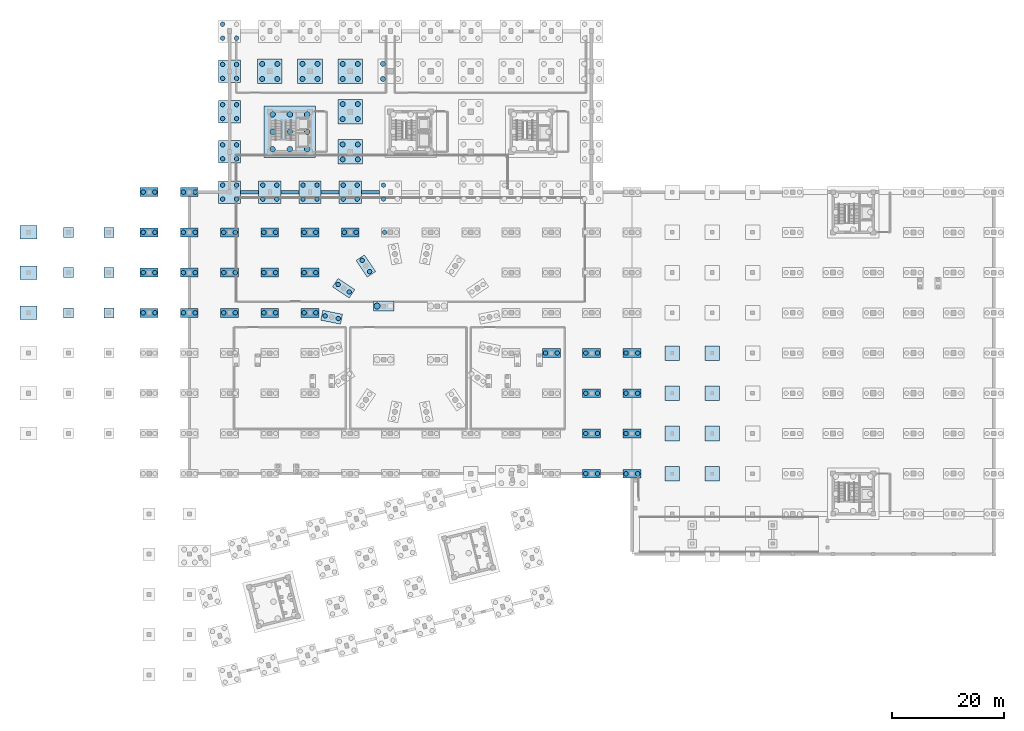
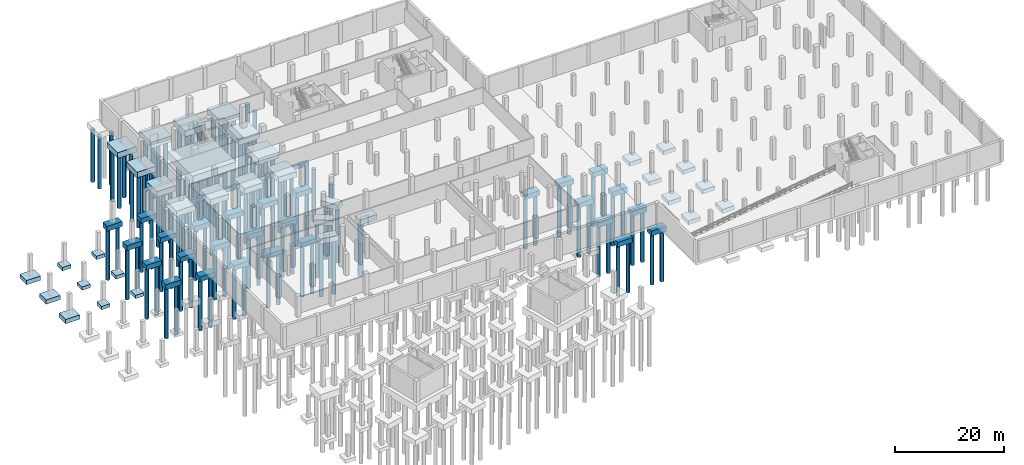
# One storey, part 3 of 19: 126 piles, 65 footings.
"""IFC4 building model written with IfcOpenShell, lengths in metres."""

from ifc_helpers import new_model, si_unit, direction, frame, origin, origin_2d, place, context, subcontext, project, spatial, rectangle, circle, extrude, material, material_profile, profile_set, type_object, element, save


model = new_model("IFC4")

# Units and contexts
model_context = context("Model", 3, precision=1e-05, world=origin(), true_north=direction((0.0, 1.0)))
body_context = subcontext(model_context, "Body", "Model", "MODEL_VIEW")
ifc_project = project(units=[si_unit("LENGTHUNIT", "METRE"), si_unit("AREAUNIT", "SQUARE_METRE"), si_unit("VOLUMEUNIT", "CUBIC_METRE"), si_unit("PLANEANGLEUNIT", "RADIAN"), si_unit("MASSUNIT", "GRAM", prefix="KILO")], contexts=[model_context])

# Site, building, storey
site_placement = place(None, origin())
site = spatial("IfcSite", under=ifc_project, at=site_placement, CompositionType="ELEMENT")
building_placement = place(site_placement, origin())
building = spatial("IfcBuilding", under=site, at=building_placement, Name="Qiaolan Assembly House", CompositionType="ELEMENT")
storey_placement = place(building_placement, frame((0.0, 0.0, -4.800048828125)))
storey = spatial("IfcBuildingStorey", under=building, at=storey_placement, Name="B1", CompositionType="ELEMENT", Elevation=-4.800048828125)

# Footings
ifc_material_1 = material(Name="Concrete C40/50", Category="concrete")
footing_type_1 = type_object("IfcFootingType", Name="FTG-CORE-RAFT-9200x9200", PredefinedType="PILE_CAP", material=ifc_material_1)
footing_1_placement = place(storey_placement, frame((46.800048828125, 97.199951171875, -2.35009765625), z_axis=(0.0, 0.0, 1.0), x_axis=(1.0, 0.0, 0.0)))
element("IfcFooting", 1, at=footing_1_placement, inside=storey, type_object=footing_type_1, Name="PC-01 pile cap CORE-A", PredefinedType="PILE_CAP", context=body_context, shape_type="SweptSolid", body=[
    extrude(rectangle(XDim=9.199951171875, YDim=9.199951171875, at=origin_2d()), origin(), (0.0, 0.0, 1.0), 1.60009765625),
])
ifc_material_profile_1 = material_profile(ifc_material_1, rectangle(XDim=0.60009765625, YDim=0.89990234375, at=origin_2d()), Name="GF 600x900")
ifc_profile_set_1 = profile_set([ifc_material_profile_1], Name="Concrete C40/50")
footing_type_2 = type_object("IfcFootingType", Name="FTG-GB-600x900", PredefinedType="FOOTING_BEAM", material=ifc_profile_set_1)
for number, where, z_axis, x_axis, name in (
    (2, (38.0029296875, 86.39990234375, -1.199951171875), (1.0, 0.0, 0.0), (0.0, 1.0, 0.0), "GF-01 ground tie beam NW-86-0"),
    (3, (45.202880859375, 86.39990234375, -1.199951171875), (1.0, 0.0, 0.0), (0.0, 1.0, 0.0), "GF-01 ground tie beam NW-86-1"),
):
    element("IfcFooting", number, at=place(storey_placement, frame(where, z_axis=z_axis, x_axis=x_axis)), inside=storey, type_object=footing_type_2, Name=name, PredefinedType="FOOTING_BEAM", context=body_context, shape_type="SweptSolid", body=[
        extrude(rectangle(XDim=0.60009765625, YDim=0.89990234375, at=origin_2d()), origin(), (0.0, 0.0, 1.0), 3.194091796875),
    ])
footing_2_placement = place(storey_placement, frame((52.403076171875, 86.39990234375, -1.199951171875), z_axis=(1.0, 0.0, 0.0), x_axis=(0.0, 1.0, 0.0)))
element("IfcFooting", 4, at=footing_2_placement, inside=storey, type_object=footing_type_2, Name="GF-01 ground tie beam NW-86-2", PredefinedType="FOOTING_BEAM", context=body_context, shape_type="SweptSolid", body=[
    extrude(rectangle(XDim=0.60009765625, YDim=0.89990234375, at=origin_2d()), origin(), (0.0, 0.0, 1.0), 3.19384765625),
])
footing_3_placement = place(storey_placement, frame((59.60302734375, 86.39990234375, -1.199951171875), z_axis=(1.0, 0.0, 0.0), x_axis=(0.0, 1.0, 0.0)))
element("IfcFooting", 5, at=footing_3_placement, inside=storey, type_object=footing_type_2, Name="GF-01 ground tie beam NW-86-3", PredefinedType="FOOTING_BEAM", context=body_context, shape_type="SweptSolid", body=[
    extrude(rectangle(XDim=0.60009765625, YDim=0.89990234375, at=origin_2d()), origin(), (0.0, 0.0, 1.0), 3.194091796875),
])
footing_type_3 = type_object("IfcFootingType", Name="FTG-PAD-1800x1800", PredefinedType="PAD_FOOTING", material=ifc_material_1)
for number, where, z_axis, x_axis, name in (
    (6, (7.199951171875, 64.800048828125, -0.75), (0.0, 0.0, 1.0), (1.0, 0.0, 0.0), "PF-04 portico pad footing 1-3"),
    (7, (7.199951171875, 72.0, -0.75), (0.0, 0.0, 1.0), (1.0, 0.0, 0.0), "PF-04 portico pad footing 1-4"),
    (8, (7.199951171875, 79.199951171875, -0.75), (0.0, 0.0, 1.0), (1.0, 0.0, 0.0), "PF-04 portico pad footing 1-5"),
    (9, (14.39990234375, 64.800048828125, -0.75), (0.0, 0.0, 1.0), (1.0, 0.0, 0.0), "PF-04 portico pad footing 2-3"),
    (10, (14.39990234375, 72.0, -0.75), (0.0, 0.0, 1.0), (1.0, 0.0, 0.0), "PF-04 portico pad footing 2-4"),
    (11, (14.39990234375, 79.199951171875, -0.75), (0.0, 0.0, 1.0), (1.0, 0.0, 0.0), "PF-04 portico pad footing 2-5"),
):
    element("IfcFooting", number, at=place(storey_placement, frame(where, z_axis=z_axis, x_axis=x_axis)), inside=storey, type_object=footing_type_3, Name=name, PredefinedType="PAD_FOOTING", context=body_context, shape_type="SweptSolid", body=[
        extrude(rectangle(XDim=1.800048828125, YDim=1.800048828125, at=origin_2d()), origin(), (0.0, 0.0, 1.0), 0.75),
    ])
footing_type_4 = type_object("IfcFootingType", Name="FTG-PAD-2600x2600", PredefinedType="PAD_FOOTING", material=ifc_material_1)
for number, where, z_axis, x_axis, name in (
    (12, (115.199951171875, 36.0, -1.64990234375), (0.0, 0.0, 1.0), (1.0, 0.0, 0.0), "PF-02 cloister/carpark pad footing 0-2"),
    (13, (115.199951171875, 43.199951171875, -1.64990234375), (0.0, 0.0, 1.0), (1.0, 0.0, 0.0), "PF-02 cloister/carpark pad footing 0-3"),
    (14, (115.199951171875, 50.39990234375, -1.64990234375), (0.0, 0.0, 1.0), (1.0, 0.0, 0.0), "PF-02 cloister/carpark pad footing 0-4"),
    (15, (115.199951171875, 57.60009765625, -1.64990234375), (0.0, 0.0, 1.0), (1.0, 0.0, 0.0), "PF-02 cloister/carpark pad footing 0-5"),
    (16, (122.39990234375, 36.0, -1.64990234375), (0.0, 0.0, 1.0), (1.0, 0.0, 0.0), "PF-02 cloister/carpark pad footing 1-2"),
    (17, (122.39990234375, 43.199951171875, -1.64990234375), (0.0, 0.0, 1.0), (1.0, 0.0, 0.0), "PF-02 cloister/carpark pad footing 1-3"),
    (18, (122.39990234375, 50.39990234375, -1.64990234375), (0.0, 0.0, 1.0), (1.0, 0.0, 0.0), "PF-02 cloister/carpark pad footing 1-4"),
    (19, (122.39990234375, 57.60009765625, -1.64990234375), (0.0, 0.0, 1.0), (1.0, 0.0, 0.0), "PF-02 cloister/carpark pad footing 1-5"),
):
    element("IfcFooting", number, at=place(storey_placement, frame(where, z_axis=z_axis, x_axis=x_axis)), inside=storey, type_object=footing_type_4, Name=name, PredefinedType="PAD_FOOTING", context=body_context, shape_type="SweptSolid", body=[
        extrude(rectangle(XDim=2.60009765625, YDim=2.60009765625, at=origin_2d()), origin(), (0.0, 0.0, 1.0), 0.89990234375),
    ])
footing_type_5 = type_object("IfcFootingType", Name="FTG-PAD-3000x2400", PredefinedType="PAD_FOOTING", material=ifc_material_1)
for number, where, z_axis, x_axis, name in (
    (20, (0.0, 64.800048828125, -0.94970703125), (0.0, 0.0, 1.0), (1.0, 0.0, 0.0), "PF-01 portico pad footing 0-3"),
    (21, (0.0, 72.0, -0.94970703125), (0.0, 0.0, 1.0), (1.0, 0.0, 0.0), "PF-01 portico pad footing 0-4"),
    (22, (0.0, 79.199951171875, -0.94970703125), (0.0, 0.0, 1.0), (1.0, 0.0, 0.0), "PF-01 portico pad footing 0-5"),
):
    element("IfcFooting", number, at=place(storey_placement, frame(where, z_axis=z_axis, x_axis=x_axis)), inside=storey, type_object=footing_type_5, Name=name, PredefinedType="PAD_FOOTING", context=body_context, shape_type="SweptSolid", body=[
        extrude(rectangle(XDim=3.0, YDim=2.39990234375, at=origin_2d()), origin(), (0.0, 0.0, 1.0), 0.949951171875),
    ])
footing_type_6 = type_object("IfcFootingType", Name="FTG-PC-2P-3200x1600", PredefinedType="PILE_CAP", material=ifc_material_1)
for number, where, z_axis, x_axis, name in (
    (23, (21.60009765625, 64.800048828125, -1.10009765625), (0.0, 0.0, 1.0), (1.0, 0.0, 0.0), "PC-07 pile cap HL-00-04"),
    (24, (21.60009765625, 72.0, -1.10009765625), (0.0, 0.0, 1.0), (1.0, 0.0, 0.0), "PC-07 pile cap HL-00-05"),
    (25, (21.60009765625, 79.199951171875, -1.10009765625), (0.0, 0.0, 1.0), (1.0, 0.0, 0.0), "PC-07 pile cap HL-00-06"),
    (26, (21.60009765625, 86.39990234375, -1.10009765625), (0.0, 0.0, 1.0), (1.0, 0.0, 0.0), "PC-07 pile cap HL-00-07"),
    (27, (28.800048828125, 64.800048828125, -1.85009765625), (0.0, 0.0, 1.0), (1.0, 0.0, 0.0), "PC-07 pile cap HL-01-04"),
    (28, (28.800048828125, 72.0, -1.85009765625), (0.0, 0.0, 1.0), (1.0, 0.0, 0.0), "PC-07 pile cap HL-01-05"),
    (29, (28.800048828125, 79.199951171875, -1.85009765625), (0.0, 0.0, 1.0), (1.0, 0.0, 0.0), "PC-07 pile cap HL-01-06"),
    (30, (28.800048828125, 86.39990234375, -1.85009765625), (0.0, 0.0, 1.0), (1.0, 0.0, 0.0), "PC-07 pile cap HL-01-07"),
    (31, (36.0, 64.800048828125, -1.85009765625), (0.0, 0.0, 1.0), (1.0, 0.0, 0.0), "PC-07 pile cap HL-02-04"),
    (32, (36.0, 72.0, -1.85009765625), (0.0, 0.0, 1.0), (1.0, 0.0, 0.0), "PC-07 pile cap HL-02-05"),
    (33, (36.0, 79.199951171875, -1.85009765625), (0.0, 0.0, 1.0), (1.0, 0.0, 0.0), "PC-07 pile cap HL-02-06"),
    (34, (43.199951171875, 64.800048828125, -1.85009765625), (0.0, 0.0, 1.0), (1.0, 0.0, 0.0), "PC-07 pile cap HL-03-04"),
    (35, (43.199951171875, 72.0, -1.85009765625), (0.0, 0.0, 1.0), (1.0, 0.0, 0.0), "PC-07 pile cap HL-03-05"),
    (36, (43.199951171875, 79.199951171875, -1.85009765625), (0.0, 0.0, 1.0), (1.0, 0.0, 0.0), "PC-07 pile cap HL-03-06"),
    (37, (50.39990234375, 64.800048828125, -1.85009765625), (0.0, 0.0, 1.0), (1.0, 0.0, 0.0), "PC-07 pile cap HL-04-04"),
    (38, (50.39990234375, 72.0, -1.85009765625), (0.0, 0.0, 1.0), (1.0, 0.0, 0.0), "PC-07 pile cap HL-04-05"),
    (39, (50.39990234375, 79.199951171875, -1.85009765625), (0.0, 0.0, 1.0), (1.0, 0.0, 0.0), "PC-07 pile cap HL-04-06"),
    (40, (57.60009765625, 79.199951171875, -1.85009765625), (0.0, 0.0, 1.0), (1.0, 0.0, 0.0), "PC-07 pile cap HL-05-06"),
    (41, (93.60009765625, 57.60009765625, -1.85009765625), (0.0, 0.0, 1.0), (1.0, 0.0, 0.0), "PC-07 pile cap HL-10-03"),
    (42, (100.800048828125, 36.0, -1.85009765625), (0.0, 0.0, 1.0), (1.0, 0.0, 0.0), "PC-07 pile cap HL-11-00"),
    (43, (100.800048828125, 43.199951171875, -1.85009765625), (0.0, 0.0, 1.0), (1.0, 0.0, 0.0), "PC-07 pile cap HL-11-01"),
    (44, (100.800048828125, 50.39990234375, -1.85009765625), (0.0, 0.0, 1.0), (1.0, 0.0, 0.0), "PC-07 pile cap HL-11-02"),
    (45, (100.800048828125, 57.60009765625, -1.85009765625), (0.0, 0.0, 1.0), (1.0, 0.0, 0.0), "PC-07 pile cap HL-11-03"),
    (46, (108.0, 36.0, -1.85009765625), (0.0, 0.0, 1.0), (1.0, 0.0, 0.0), "PC-07 pile cap HL-12-00"),
    (47, (108.0, 43.199951171875, -1.85009765625), (0.0, 0.0, 1.0), (1.0, 0.0, 0.0), "PC-07 pile cap HL-12-01"),
    (48, (108.0, 50.39990234375, -1.85009765625), (0.0, 0.0, 1.0), (1.0, 0.0, 0.0), "PC-07 pile cap HL-12-02"),
    (49, (108.0, 57.60009765625, -1.85009765625), (0.0, 0.0, 1.0), (1.0, 0.0, 0.0), "PC-07 pile cap HL-12-03"),
):
    element("IfcFooting", number, at=place(storey_placement, frame(where, z_axis=z_axis, x_axis=x_axis)), inside=storey, type_object=footing_type_6, Name=name, PredefinedType="PILE_CAP", context=body_context, shape_type="SweptSolid", body=[
        extrude(rectangle(XDim=3.199951171875, YDim=1.60009765625, at=origin_2d()), origin(), (0.0, 0.0, 1.0), 1.10009765625),
    ])
footing_type_7 = type_object("IfcFootingType", Name="FTG-PC-2P-3600x1800", PredefinedType="PILE_CAP", material=ifc_material_1)
for number, where, z_axis, x_axis, name in (
    (50, (60.39990234375, 73.173095703125, -1.89990234375), (0.0, 0.0, 1.0), (-0.555570229334, 0.831469614765, 0.0), "PC-06 pile cap DRUM-05"),
    (51, (56.4267578125, 69.2001953125, -1.89990234375), (0.0, 0.0, 1.0), (-0.831469614765, 0.555570229334, 0.0), "PC-06 pile cap DRUM-06"),
    (52, (54.276611328125, 64.00927734375, -1.89990234375), (0.0, 0.0, 1.0), (-0.98078527548, 0.195090346769, 0.0), "PC-06 pile cap DRUM-07"),
    (53, (63.60009765625, 66.0, -1.89990234375), (0.0, 0.0, 1.0), (1.0, 0.0, 0.0), "PC-06 pile cap UC-03"),
):
    element("IfcFooting", number, at=place(storey_placement, frame(where, z_axis=z_axis, x_axis=x_axis)), inside=storey, type_object=footing_type_7, Name=name, PredefinedType="PILE_CAP", context=body_context, shape_type="SweptSolid", body=[
        extrude(rectangle(XDim=3.60009765625, YDim=1.800048828125, at=origin_2d()), origin(), (0.0, 0.0, 1.0), 1.14990234375),
    ])
footing_type_8 = type_object("IfcFootingType", Name="FTG-PC-4P-4000x4000", PredefinedType="PILE_CAP", material=ifc_material_1)
for number, where, z_axis, x_axis, name in (
    (54, (36.0, 86.39990234375, -2.0), (0.0, 0.0, 1.0), (1.0, 0.0, 0.0), "PC-04 pile cap NW-00-00"),
    (55, (36.0, 93.60009765625, -2.0), (0.0, 0.0, 1.0), (1.0, 0.0, 0.0), "PC-04 pile cap NW-00-01"),
    (56, (36.0, 100.800048828125, -2.0), (0.0, 0.0, 1.0), (1.0, 0.0, 0.0), "PC-04 pile cap NW-00-02"),
    (57, (36.0, 108.0, -2.0), (0.0, 0.0, 1.0), (1.0, 0.0, 0.0), "PC-04 pile cap NW-00-03"),
    (58, (43.199951171875, 86.39990234375, -2.0), (0.0, 0.0, 1.0), (1.0, 0.0, 0.0), "PC-04 pile cap NW-01-00"),
    (59, (50.39990234375, 86.39990234375, -2.0), (0.0, 0.0, 1.0), (1.0, 0.0, 0.0), "PC-04 pile cap NW-02-00"),
    (60, (57.60009765625, 86.39990234375, -2.0), (0.0, 0.0, 1.0), (1.0, 0.0, 0.0), "PC-04 pile cap NW-03-00"),
):
    element("IfcFooting", number, at=place(storey_placement, frame(where, z_axis=z_axis, x_axis=x_axis)), inside=storey, type_object=footing_type_8, Name=name, PredefinedType="PILE_CAP", context=body_context, shape_type="SweptSolid", body=[
        extrude(rectangle(XDim=4.0, YDim=4.0, at=origin_2d()), origin(), (0.0, 0.0, 1.0), 1.25),
    ])
footing_type_9 = type_object("IfcFootingType", Name="FTG-PC-4P-4400x4400", PredefinedType="PILE_CAP", material=ifc_material_1)
for number, where, z_axis, x_axis, name in (
    (61, (43.199951171875, 108.0, -2.10009765625), (0.0, 0.0, 1.0), (1.0, 0.0, 0.0), "PC-03 pile cap NW-01-03"),
    (62, (50.39990234375, 108.0, -2.10009765625), (0.0, 0.0, 1.0), (1.0, 0.0, 0.0), "PC-03 pile cap NW-02-03"),
    (63, (57.60009765625, 93.60009765625, -2.10009765625), (0.0, 0.0, 1.0), (1.0, 0.0, 0.0), "PC-03 pile cap NW-03-01"),
    (64, (57.60009765625, 100.800048828125, -2.10009765625), (0.0, 0.0, 1.0), (1.0, 0.0, 0.0), "PC-03 pile cap NW-03-02"),
    (65, (57.60009765625, 108.0, -2.10009765625), (0.0, 0.0, 1.0), (1.0, 0.0, 0.0), "PC-03 pile cap NW-03-03"),
):
    element("IfcFooting", number, at=place(storey_placement, frame(where, z_axis=z_axis, x_axis=x_axis)), inside=storey, type_object=footing_type_9, Name=name, PredefinedType="PILE_CAP", context=body_context, shape_type="SweptSolid", body=[
        extrude(rectangle(XDim=4.39990234375, YDim=4.39990234375, at=origin_2d()), origin(), (0.0, 0.0, 1.0), 1.35009765625),
    ])

# Piles
ifc_material_2 = material(Name="Concrete C45/55", Category="concrete")
ifc_material_profile_2 = material_profile(ifc_material_2, circle(Radius=0.5, at=origin_2d()), Name="PILE D1000")
ifc_profile_set_2 = profile_set([ifc_material_profile_2], Name="Concrete C45/55")
pile_type_1 = type_object("IfcPileType", Name="PILE-BORED-D1000", PredefinedType="BORED", material=ifc_profile_set_2)
for number, where, z_axis, x_axis, name in (
    (66, (43.699951171875, 94.10009765625, -2.25), (0.0, 0.0, -1.0), (1.0, 0.0, 0.0), "BP-03 rock-socketed pile CORE-A-1"),
    (67, (43.699951171875, 97.199951171875, -2.25), (0.0, 0.0, -1.0), (1.0, 0.0, 0.0), "BP-03 rock-socketed pile CORE-A-2"),
    (68, (43.699951171875, 100.300048828125, -2.25), (0.0, 0.0, -1.0), (1.0, 0.0, 0.0), "BP-03 rock-socketed pile CORE-A-3"),
    (69, (46.800048828125, 94.10009765625, -2.25), (0.0, 0.0, -1.0), (1.0, 0.0, 0.0), "BP-03 rock-socketed pile CORE-A-4"),
    (70, (46.800048828125, 97.199951171875, -2.25), (0.0, 0.0, -1.0), (1.0, 0.0, 0.0), "BP-03 rock-socketed pile CORE-A-5"),
    (71, (46.800048828125, 100.300048828125, -2.25), (0.0, 0.0, -1.0), (1.0, 0.0, 0.0), "BP-03 rock-socketed pile CORE-A-6"),
    (72, (49.89990234375, 94.10009765625, -2.25), (0.0, 0.0, -1.0), (1.0, 0.0, 0.0), "BP-03 rock-socketed pile CORE-A-7"),
    (73, (49.89990234375, 97.199951171875, -2.25), (0.0, 0.0, -1.0), (1.0, 0.0, 0.0), "BP-03 rock-socketed pile CORE-A-8"),
    (74, (49.89990234375, 100.300048828125, -2.25), (0.0, 0.0, -1.0), (1.0, 0.0, 0.0), "BP-03 rock-socketed pile CORE-A-9"),
):
    element("IfcPile", number, at=place(storey_placement, frame(where, z_axis=z_axis, x_axis=x_axis)), inside=storey, type_object=pile_type_1, Name=name, PredefinedType="BORED", context=body_context, shape_type="SweptSolid", body=[
        extrude(circle(Radius=0.5, at=origin_2d()), origin(), (0.0, 0.0, 1.0), 12.199951171875),
    ])
ifc_material_profile_3 = material_profile(ifc_material_2, circle(Radius=0.550048828125, at=origin_2d()), Name="PILE D1100")
ifc_profile_set_3 = profile_set([ifc_material_profile_3], Name="Concrete C45/55")
pile_type_2 = type_object("IfcPileType", Name="PILE-BORED-D1100", PredefinedType="BORED", material=ifc_profile_set_3)
pile_placement = place(storey_placement, frame((62.39990234375, 66.0, -1.800048828125), z_axis=(0.0, 0.0, -1.0), x_axis=(1.0, 0.0, 0.0)))
element("IfcPile", 75, at=pile_placement, inside=storey, type_object=pile_type_2, Name="BP-04 rock-socketed pile UC-03-1", PredefinedType="BORED", context=body_context, shape_type="SweptSolid", body=[
    extrude(circle(Radius=0.550048828125, at=origin_2d()), origin(), (0.0, 0.0, 1.0), 12.0),
])
ifc_material_profile_4 = material_profile(ifc_material_2, circle(Radius=0.39990234375, at=origin_2d()), Name="PILE D800")
ifc_profile_set_4 = profile_set([ifc_material_profile_4], Name="Concrete C45/55")
pile_type_3 = type_object("IfcPileType", Name="PILE-BORED-D800", PredefinedType="BORED", material=ifc_profile_set_4)
for number, where, z_axis, x_axis, name in (
    (76, (34.75, 85.14990234375, -1.89990234375), (0.0, 0.0, -1.0), (1.0, 0.0, 0.0), "BP-01 rock-socketed pile NW-00-00-1"),
    (77, (37.25, 85.14990234375, -1.89990234375), (0.0, 0.0, -1.0), (1.0, 0.0, 0.0), "BP-01 rock-socketed pile NW-00-00-2"),
    (78, (37.25, 87.64990234375, -1.89990234375), (0.0, 0.0, -1.0), (1.0, 0.0, 0.0), "BP-01 rock-socketed pile NW-00-00-3"),
    (79, (34.75, 87.64990234375, -1.89990234375), (0.0, 0.0, -1.0), (1.0, 0.0, 0.0), "BP-01 rock-socketed pile NW-00-00-4"),
    (80, (34.75, 92.35009765625, -1.89990234375), (0.0, 0.0, -1.0), (1.0, 0.0, 0.0), "BP-01 rock-socketed pile NW-00-01-1"),
    (81, (37.25, 92.35009765625, -1.89990234375), (0.0, 0.0, -1.0), (1.0, 0.0, 0.0), "BP-01 rock-socketed pile NW-00-01-2"),
    (82, (37.25, 94.85009765625, -1.89990234375), (0.0, 0.0, -1.0), (1.0, 0.0, 0.0), "BP-01 rock-socketed pile NW-00-01-3"),
    (83, (34.75, 94.85009765625, -1.89990234375), (0.0, 0.0, -1.0), (1.0, 0.0, 0.0), "BP-01 rock-socketed pile NW-00-01-4"),
    (84, (34.75, 99.550048828125, -1.89990234375), (0.0, 0.0, -1.0), (1.0, 0.0, 0.0), "BP-01 rock-socketed pile NW-00-02-1"),
    (85, (37.25, 99.550048828125, -1.89990234375), (0.0, 0.0, -1.0), (1.0, 0.0, 0.0), "BP-01 rock-socketed pile NW-00-02-2"),
    (86, (37.25, 102.050048828125, -1.89990234375), (0.0, 0.0, -1.0), (1.0, 0.0, 0.0), "BP-01 rock-socketed pile NW-00-02-3"),
    (87, (34.75, 102.050048828125, -1.89990234375), (0.0, 0.0, -1.0), (1.0, 0.0, 0.0), "BP-01 rock-socketed pile NW-00-02-4"),
    (88, (34.75, 106.75, -1.89990234375), (0.0, 0.0, -1.0), (1.0, 0.0, 0.0), "BP-01 rock-socketed pile NW-00-03-1"),
    (89, (37.25, 106.75, -1.89990234375), (0.0, 0.0, -1.0), (1.0, 0.0, 0.0), "BP-01 rock-socketed pile NW-00-03-2"),
    (90, (37.25, 109.25, -1.89990234375), (0.0, 0.0, -1.0), (1.0, 0.0, 0.0), "BP-01 rock-socketed pile NW-00-03-3"),
    (91, (34.75, 109.25, -1.89990234375), (0.0, 0.0, -1.0), (1.0, 0.0, 0.0), "BP-01 rock-socketed pile NW-00-03-4"),
    (92, (34.75, 113.949951171875, -1.89990234375), (0.0, 0.0, -1.0), (1.0, 0.0, 0.0), "BP-01 rock-socketed pile NW-00-04-1"),
    (93, (37.25, 113.949951171875, -1.89990234375), (0.0, 0.0, -1.0), (1.0, 0.0, 0.0), "BP-01 rock-socketed pile NW-00-04-2"),
    (94, (34.75, 116.449951171875, -1.89990234375), (0.0, 0.0, -1.0), (1.0, 0.0, 0.0), "BP-01 rock-socketed pile NW-00-04-4"),
    (95, (41.949951171875, 85.14990234375, -1.89990234375), (0.0, 0.0, -1.0), (1.0, 0.0, 0.0), "BP-01 rock-socketed pile NW-01-00-1"),
    (96, (44.449951171875, 85.14990234375, -1.89990234375), (0.0, 0.0, -1.0), (1.0, 0.0, 0.0), "BP-01 rock-socketed pile NW-01-00-2"),
    (97, (44.449951171875, 87.64990234375, -1.89990234375), (0.0, 0.0, -1.0), (1.0, 0.0, 0.0), "BP-01 rock-socketed pile NW-01-00-3"),
    (98, (41.949951171875, 87.64990234375, -1.89990234375), (0.0, 0.0, -1.0), (1.0, 0.0, 0.0), "BP-01 rock-socketed pile NW-01-00-4"),
    (99, (49.14990234375, 85.14990234375, -1.89990234375), (0.0, 0.0, -1.0), (1.0, 0.0, 0.0), "BP-01 rock-socketed pile NW-02-00-1"),
    (100, (51.64990234375, 85.14990234375, -1.89990234375), (0.0, 0.0, -1.0), (1.0, 0.0, 0.0), "BP-01 rock-socketed pile NW-02-00-2"),
    (101, (51.64990234375, 87.64990234375, -1.89990234375), (0.0, 0.0, -1.0), (1.0, 0.0, 0.0), "BP-01 rock-socketed pile NW-02-00-3"),
    (102, (49.14990234375, 87.64990234375, -1.89990234375), (0.0, 0.0, -1.0), (1.0, 0.0, 0.0), "BP-01 rock-socketed pile NW-02-00-4"),
    (103, (56.35009765625, 85.14990234375, -1.89990234375), (0.0, 0.0, -1.0), (1.0, 0.0, 0.0), "BP-01 rock-socketed pile NW-03-00-1"),
    (104, (58.85009765625, 85.14990234375, -1.89990234375), (0.0, 0.0, -1.0), (1.0, 0.0, 0.0), "BP-01 rock-socketed pile NW-03-00-2"),
    (105, (58.85009765625, 87.64990234375, -1.89990234375), (0.0, 0.0, -1.0), (1.0, 0.0, 0.0), "BP-01 rock-socketed pile NW-03-00-3"),
    (106, (56.35009765625, 87.64990234375, -1.89990234375), (0.0, 0.0, -1.0), (1.0, 0.0, 0.0), "BP-01 rock-socketed pile NW-03-00-4"),
    (107, (63.550048828125, 85.14990234375, -1.89990234375), (0.0, 0.0, -1.0), (1.0, 0.0, 0.0), "BP-01 rock-socketed pile NW-04-00-1"),
    (108, (63.550048828125, 87.64990234375, -1.89990234375), (0.0, 0.0, -1.0), (1.0, 0.0, 0.0), "BP-01 rock-socketed pile NW-04-00-4"),
):
    element("IfcPile", number, at=place(storey_placement, frame(where, z_axis=z_axis, x_axis=x_axis)), inside=storey, type_object=pile_type_3, Name=name, PredefinedType="BORED", context=body_context, shape_type="SweptSolid", body=[
        extrude(circle(Radius=0.39990234375, at=origin_2d()), origin(), (0.0, 0.0, 1.0), 11.800048828125),
    ])
for number, where, z_axis, x_axis, name in (
    (109, (61.06640625, 72.17529296875, -1.800048828125), (0.0, 0.0, -1.0), (1.0, 0.0, 0.0), "BP-01 rock-socketed pile DRUM-05-1"),
    (110, (59.733154296875, 74.1708984375, -1.800048828125), (0.0, 0.0, -1.0), (1.0, 0.0, 0.0), "BP-01 rock-socketed pile DRUM-05-2"),
    (111, (57.424560546875, 68.533447265625, -1.800048828125), (0.0, 0.0, -1.0), (1.0, 0.0, 0.0), "BP-01 rock-socketed pile DRUM-06-1"),
    (112, (55.428955078125, 69.866943359375, -1.800048828125), (0.0, 0.0, -1.0), (1.0, 0.0, 0.0), "BP-01 rock-socketed pile DRUM-06-2"),
    (113, (55.45361328125, 63.775146484375, -1.800048828125), (0.0, 0.0, -1.0), (1.0, 0.0, 0.0), "BP-01 rock-socketed pile DRUM-07-1"),
    (114, (53.099853515625, 64.243408203125, -1.800048828125), (0.0, 0.0, -1.0), (1.0, 0.0, 0.0), "BP-01 rock-socketed pile DRUM-07-2"),
):
    element("IfcPile", number, at=place(storey_placement, frame(where, z_axis=z_axis, x_axis=x_axis)), inside=storey, type_object=pile_type_3, Name=name, PredefinedType="BORED", context=body_context, shape_type="SweptSolid", body=[
        extrude(circle(Radius=0.39990234375, at=origin_2d()), origin(), (0.0, 0.0, 1.0), 12.39990234375),
    ])
for number, where, z_axis, x_axis, name in (
    (115, (20.550048828125, 64.800048828125, -1.0), (0.0, 0.0, -1.0), (1.0, 0.0, 0.0), "BP-01 rock-socketed pile HL-00-04-1"),
    (116, (22.64990234375, 64.800048828125, -1.0), (0.0, 0.0, -1.0), (1.0, 0.0, 0.0), "BP-01 rock-socketed pile HL-00-04-2"),
    (117, (20.550048828125, 72.0, -1.0), (0.0, 0.0, -1.0), (1.0, 0.0, 0.0), "BP-01 rock-socketed pile HL-00-05-1"),
    (118, (22.64990234375, 72.0, -1.0), (0.0, 0.0, -1.0), (1.0, 0.0, 0.0), "BP-01 rock-socketed pile HL-00-05-2"),
    (119, (20.550048828125, 79.199951171875, -1.0), (0.0, 0.0, -1.0), (1.0, 0.0, 0.0), "BP-01 rock-socketed pile HL-00-06-1"),
    (120, (22.64990234375, 79.199951171875, -1.0), (0.0, 0.0, -1.0), (1.0, 0.0, 0.0), "BP-01 rock-socketed pile HL-00-06-2"),
    (121, (20.550048828125, 86.39990234375, -1.0), (0.0, 0.0, -1.0), (1.0, 0.0, 0.0), "BP-01 rock-socketed pile HL-00-07-1"),
    (122, (22.64990234375, 86.39990234375, -1.0), (0.0, 0.0, -1.0), (1.0, 0.0, 0.0), "BP-01 rock-socketed pile HL-00-07-2"),
    (123, (27.75, 64.800048828125, -1.75), (0.0, 0.0, -1.0), (1.0, 0.0, 0.0), "BP-01 rock-socketed pile HL-01-04-1"),
    (124, (29.85009765625, 64.800048828125, -1.75), (0.0, 0.0, -1.0), (1.0, 0.0, 0.0), "BP-01 rock-socketed pile HL-01-04-2"),
    (125, (27.75, 72.0, -1.75), (0.0, 0.0, -1.0), (1.0, 0.0, 0.0), "BP-01 rock-socketed pile HL-01-05-1"),
    (126, (29.85009765625, 72.0, -1.75), (0.0, 0.0, -1.0), (1.0, 0.0, 0.0), "BP-01 rock-socketed pile HL-01-05-2"),
    (127, (27.75, 79.199951171875, -1.75), (0.0, 0.0, -1.0), (1.0, 0.0, 0.0), "BP-01 rock-socketed pile HL-01-06-1"),
    (128, (29.85009765625, 79.199951171875, -1.75), (0.0, 0.0, -1.0), (1.0, 0.0, 0.0), "BP-01 rock-socketed pile HL-01-06-2"),
    (129, (27.75, 86.39990234375, -1.75), (0.0, 0.0, -1.0), (1.0, 0.0, 0.0), "BP-01 rock-socketed pile HL-01-07-1"),
    (130, (29.85009765625, 86.39990234375, -1.75), (0.0, 0.0, -1.0), (1.0, 0.0, 0.0), "BP-01 rock-socketed pile HL-01-07-2"),
    (131, (34.949951171875, 64.800048828125, -1.75), (0.0, 0.0, -1.0), (1.0, 0.0, 0.0), "BP-01 rock-socketed pile HL-02-04-1"),
    (132, (37.050048828125, 64.800048828125, -1.75), (0.0, 0.0, -1.0), (1.0, 0.0, 0.0), "BP-01 rock-socketed pile HL-02-04-2"),
    (133, (34.949951171875, 72.0, -1.75), (0.0, 0.0, -1.0), (1.0, 0.0, 0.0), "BP-01 rock-socketed pile HL-02-05-1"),
    (134, (37.050048828125, 72.0, -1.75), (0.0, 0.0, -1.0), (1.0, 0.0, 0.0), "BP-01 rock-socketed pile HL-02-05-2"),
    (135, (34.949951171875, 79.199951171875, -1.75), (0.0, 0.0, -1.0), (1.0, 0.0, 0.0), "BP-01 rock-socketed pile HL-02-06-1"),
    (136, (37.050048828125, 79.199951171875, -1.75), (0.0, 0.0, -1.0), (1.0, 0.0, 0.0), "BP-01 rock-socketed pile HL-02-06-2"),
    (137, (42.14990234375, 64.800048828125, -1.75), (0.0, 0.0, -1.0), (1.0, 0.0, 0.0), "BP-01 rock-socketed pile HL-03-04-1"),
    (138, (44.25, 64.800048828125, -1.75), (0.0, 0.0, -1.0), (1.0, 0.0, 0.0), "BP-01 rock-socketed pile HL-03-04-2"),
    (139, (42.14990234375, 72.0, -1.75), (0.0, 0.0, -1.0), (1.0, 0.0, 0.0), "BP-01 rock-socketed pile HL-03-05-1"),
    (140, (44.25, 72.0, -1.75), (0.0, 0.0, -1.0), (1.0, 0.0, 0.0), "BP-01 rock-socketed pile HL-03-05-2"),
    (141, (42.14990234375, 79.199951171875, -1.75), (0.0, 0.0, -1.0), (1.0, 0.0, 0.0), "BP-01 rock-socketed pile HL-03-06-1"),
    (142, (44.25, 79.199951171875, -1.75), (0.0, 0.0, -1.0), (1.0, 0.0, 0.0), "BP-01 rock-socketed pile HL-03-06-2"),
    (143, (49.35009765625, 64.800048828125, -1.75), (0.0, 0.0, -1.0), (1.0, 0.0, 0.0), "BP-01 rock-socketed pile HL-04-04-1"),
    (144, (51.449951171875, 64.800048828125, -1.75), (0.0, 0.0, -1.0), (1.0, 0.0, 0.0), "BP-01 rock-socketed pile HL-04-04-2"),
    (145, (49.35009765625, 72.0, -1.75), (0.0, 0.0, -1.0), (1.0, 0.0, 0.0), "BP-01 rock-socketed pile HL-04-05-1"),
    (146, (51.449951171875, 72.0, -1.75), (0.0, 0.0, -1.0), (1.0, 0.0, 0.0), "BP-01 rock-socketed pile HL-04-05-2"),
    (147, (49.35009765625, 79.199951171875, -1.75), (0.0, 0.0, -1.0), (1.0, 0.0, 0.0), "BP-01 rock-socketed pile HL-04-06-1"),
    (148, (51.449951171875, 79.199951171875, -1.75), (0.0, 0.0, -1.0), (1.0, 0.0, 0.0), "BP-01 rock-socketed pile HL-04-06-2"),
    (149, (56.550048828125, 79.199951171875, -1.75), (0.0, 0.0, -1.0), (1.0, 0.0, 0.0), "BP-01 rock-socketed pile HL-05-06-1"),
    (150, (58.64990234375, 79.199951171875, -1.75), (0.0, 0.0, -1.0), (1.0, 0.0, 0.0), "BP-01 rock-socketed pile HL-05-06-2"),
    (151, (63.75, 79.199951171875, -1.75), (0.0, 0.0, -1.0), (1.0, 0.0, 0.0), "BP-01 rock-socketed pile HL-06-06-1"),
    (152, (92.550048828125, 57.60009765625, -1.75), (0.0, 0.0, -1.0), (1.0, 0.0, 0.0), "BP-01 rock-socketed pile HL-10-03-1"),
    (153, (94.64990234375, 57.60009765625, -1.75), (0.0, 0.0, -1.0), (1.0, 0.0, 0.0), "BP-01 rock-socketed pile HL-10-03-2"),
    (154, (99.75, 36.0, -1.75), (0.0, 0.0, -1.0), (1.0, 0.0, 0.0), "BP-01 rock-socketed pile HL-11-00-1"),
    (155, (101.85009765625, 36.0, -1.75), (0.0, 0.0, -1.0), (1.0, 0.0, 0.0), "BP-01 rock-socketed pile HL-11-00-2"),
    (156, (99.75, 43.199951171875, -1.75), (0.0, 0.0, -1.0), (1.0, 0.0, 0.0), "BP-01 rock-socketed pile HL-11-01-1"),
    (157, (101.85009765625, 43.199951171875, -1.75), (0.0, 0.0, -1.0), (1.0, 0.0, 0.0), "BP-01 rock-socketed pile HL-11-01-2"),
    (158, (99.75, 50.39990234375, -1.75), (0.0, 0.0, -1.0), (1.0, 0.0, 0.0), "BP-01 rock-socketed pile HL-11-02-1"),
    (159, (101.85009765625, 50.39990234375, -1.75), (0.0, 0.0, -1.0), (1.0, 0.0, 0.0), "BP-01 rock-socketed pile HL-11-02-2"),
    (160, (99.75, 57.60009765625, -1.75), (0.0, 0.0, -1.0), (1.0, 0.0, 0.0), "BP-01 rock-socketed pile HL-11-03-1"),
    (161, (101.85009765625, 57.60009765625, -1.75), (0.0, 0.0, -1.0), (1.0, 0.0, 0.0), "BP-01 rock-socketed pile HL-11-03-2"),
    (162, (106.949951171875, 36.0, -1.75), (0.0, 0.0, -1.0), (1.0, 0.0, 0.0), "BP-01 rock-socketed pile HL-12-00-1"),
    (163, (109.050048828125, 36.0, -1.75), (0.0, 0.0, -1.0), (1.0, 0.0, 0.0), "BP-01 rock-socketed pile HL-12-00-2"),
    (164, (106.949951171875, 43.199951171875, -1.75), (0.0, 0.0, -1.0), (1.0, 0.0, 0.0), "BP-01 rock-socketed pile HL-12-01-1"),
    (165, (109.050048828125, 43.199951171875, -1.75), (0.0, 0.0, -1.0), (1.0, 0.0, 0.0), "BP-01 rock-socketed pile HL-12-01-2"),
    (166, (106.949951171875, 50.39990234375, -1.75), (0.0, 0.0, -1.0), (1.0, 0.0, 0.0), "BP-01 rock-socketed pile HL-12-02-1"),
    (167, (109.050048828125, 50.39990234375, -1.75), (0.0, 0.0, -1.0), (1.0, 0.0, 0.0), "BP-01 rock-socketed pile HL-12-02-2"),
    (168, (106.949951171875, 57.60009765625, -1.75), (0.0, 0.0, -1.0), (1.0, 0.0, 0.0), "BP-01 rock-socketed pile HL-12-03-1"),
    (169, (109.050048828125, 57.60009765625, -1.75), (0.0, 0.0, -1.0), (1.0, 0.0, 0.0), "BP-01 rock-socketed pile HL-12-03-2"),
):
    element("IfcPile", number, at=place(storey_placement, frame(where, z_axis=z_axis, x_axis=x_axis)), inside=storey, type_object=pile_type_3, Name=name, PredefinedType="BORED", context=body_context, shape_type="SweptSolid", body=[
        extrude(circle(Radius=0.39990234375, at=origin_2d()), origin(), (0.0, 0.0, 1.0), 11.5),
    ])
ifc_material_profile_5 = material_profile(ifc_material_2, circle(Radius=0.449951171875, at=origin_2d()), Name="PILE D900")
ifc_profile_set_5 = profile_set([ifc_material_profile_5], Name="Concrete C45/55")
pile_type_4 = type_object("IfcPileType", Name="PILE-BORED-D900", PredefinedType="BORED", material=ifc_profile_set_5)
for number, where, z_axis, x_axis, name in (
    (170, (41.85009765625, 106.64990234375, -2.0), (0.0, 0.0, -1.0), (1.0, 0.0, 0.0), "BP-02 rock-socketed pile NW-01-03-1"),
    (171, (44.550048828125, 106.64990234375, -2.0), (0.0, 0.0, -1.0), (1.0, 0.0, 0.0), "BP-02 rock-socketed pile NW-01-03-2"),
    (172, (44.550048828125, 109.35009765625, -2.0), (0.0, 0.0, -1.0), (1.0, 0.0, 0.0), "BP-02 rock-socketed pile NW-01-03-3"),
    (173, (41.85009765625, 109.35009765625, -2.0), (0.0, 0.0, -1.0), (1.0, 0.0, 0.0), "BP-02 rock-socketed pile NW-01-03-4"),
    (174, (49.050048828125, 106.64990234375, -2.0), (0.0, 0.0, -1.0), (1.0, 0.0, 0.0), "BP-02 rock-socketed pile NW-02-03-1"),
    (175, (51.75, 106.64990234375, -2.0), (0.0, 0.0, -1.0), (1.0, 0.0, 0.0), "BP-02 rock-socketed pile NW-02-03-2"),
    (176, (51.75, 109.35009765625, -2.0), (0.0, 0.0, -1.0), (1.0, 0.0, 0.0), "BP-02 rock-socketed pile NW-02-03-3"),
    (177, (49.050048828125, 109.35009765625, -2.0), (0.0, 0.0, -1.0), (1.0, 0.0, 0.0), "BP-02 rock-socketed pile NW-02-03-4"),
    (178, (56.25, 92.25, -2.0), (0.0, 0.0, -1.0), (1.0, 0.0, 0.0), "BP-02 rock-socketed pile NW-03-01-1"),
    (179, (58.949951171875, 92.25, -2.0), (0.0, 0.0, -1.0), (1.0, 0.0, 0.0), "BP-02 rock-socketed pile NW-03-01-2"),
    (180, (58.949951171875, 94.949951171875, -2.0), (0.0, 0.0, -1.0), (1.0, 0.0, 0.0), "BP-02 rock-socketed pile NW-03-01-3"),
    (181, (56.25, 94.949951171875, -2.0), (0.0, 0.0, -1.0), (1.0, 0.0, 0.0), "BP-02 rock-socketed pile NW-03-01-4"),
    (182, (56.25, 99.449951171875, -2.0), (0.0, 0.0, -1.0), (1.0, 0.0, 0.0), "BP-02 rock-socketed pile NW-03-02-1"),
    (183, (58.949951171875, 99.449951171875, -2.0), (0.0, 0.0, -1.0), (1.0, 0.0, 0.0), "BP-02 rock-socketed pile NW-03-02-2"),
    (184, (58.949951171875, 102.14990234375, -2.0), (0.0, 0.0, -1.0), (1.0, 0.0, 0.0), "BP-02 rock-socketed pile NW-03-02-3"),
    (185, (56.25, 102.14990234375, -2.0), (0.0, 0.0, -1.0), (1.0, 0.0, 0.0), "BP-02 rock-socketed pile NW-03-02-4"),
    (186, (56.25, 106.64990234375, -2.0), (0.0, 0.0, -1.0), (1.0, 0.0, 0.0), "BP-02 rock-socketed pile NW-03-03-1"),
    (187, (58.949951171875, 106.64990234375, -2.0), (0.0, 0.0, -1.0), (1.0, 0.0, 0.0), "BP-02 rock-socketed pile NW-03-03-2"),
    (188, (58.949951171875, 109.35009765625, -2.0), (0.0, 0.0, -1.0), (1.0, 0.0, 0.0), "BP-02 rock-socketed pile NW-03-03-3"),
    (189, (56.25, 109.35009765625, -2.0), (0.0, 0.0, -1.0), (1.0, 0.0, 0.0), "BP-02 rock-socketed pile NW-03-03-4"),
    (190, (63.449951171875, 106.64990234375, -2.0), (0.0, 0.0, -1.0), (1.0, 0.0, 0.0), "BP-02 rock-socketed pile NW-04-03-1"),
    (191, (63.449951171875, 109.35009765625, -2.0), (0.0, 0.0, -1.0), (1.0, 0.0, 0.0), "BP-02 rock-socketed pile NW-04-03-4"),
):
    element("IfcPile", number, at=place(storey_placement, frame(where, z_axis=z_axis, x_axis=x_axis)), inside=storey, type_object=pile_type_4, Name=name, PredefinedType="BORED", context=body_context, shape_type="SweptSolid", body=[
        extrude(circle(Radius=0.449951171875, at=origin_2d()), origin(), (0.0, 0.0, 1.0), 12.0),
    ])

save(model, "model.ifc")
